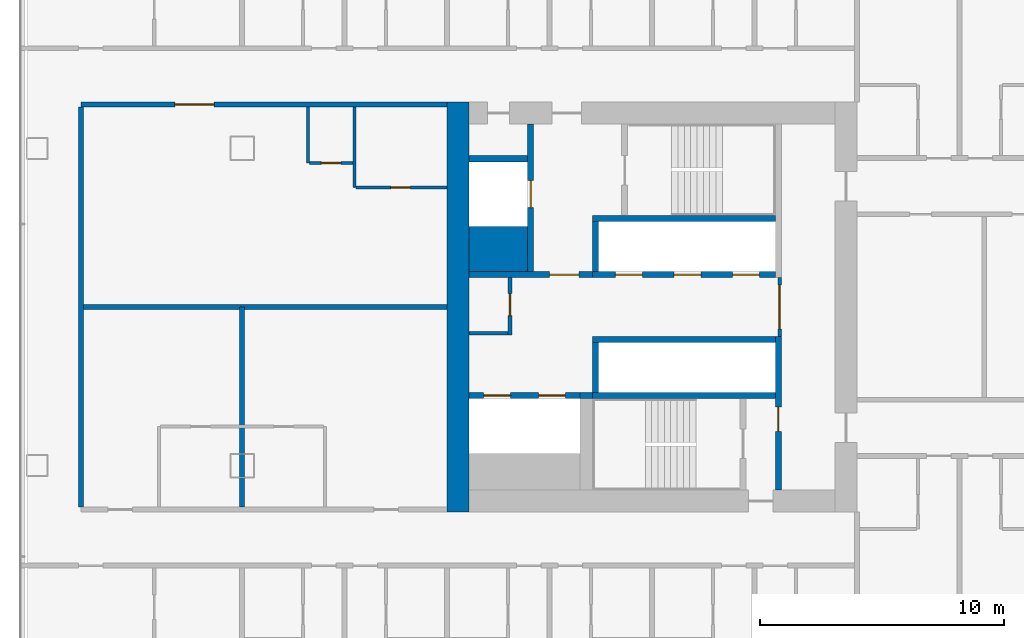
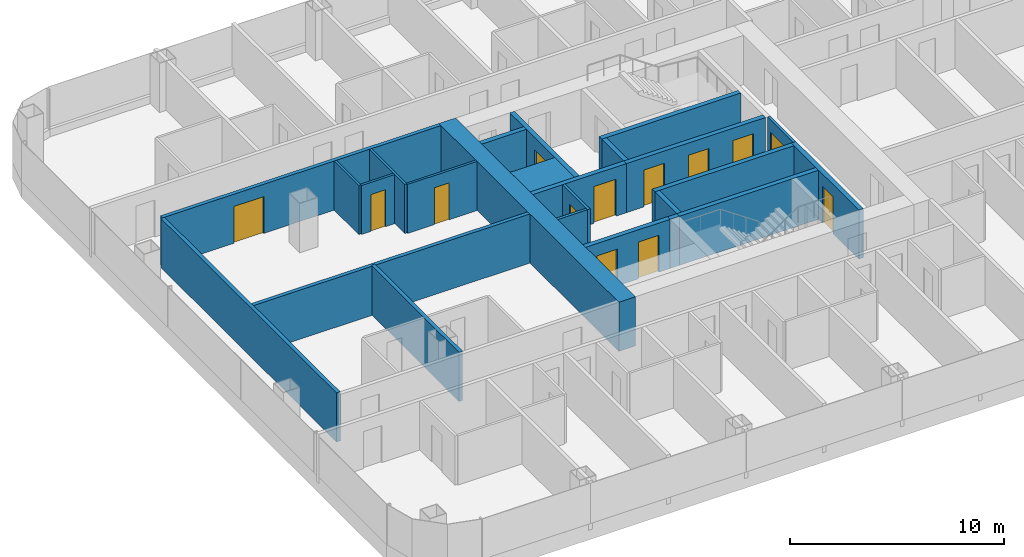
# One storey, part 14 of 29: 25 walls, 13 doors, 13 openings.
"""IFC4 building model written with IfcOpenShell, lengths in metres."""

from ifc_helpers import new_model, si_unit, direction, frame, frame_2d, origin, place, context, subcontext, project, spatial, rectangle, extrude, material, layer, layer_set, type_object, element, fill, save


model = new_model("IFC4")

# Units and contexts
model_context = context("Model", 3, precision=1e-05, world=origin(), true_north=direction((0.0, 1.0)))
body_context = subcontext(model_context, "Body", "Model", "MODEL_VIEW")
ifc_project = project(units=[si_unit("LENGTHUNIT", "METRE"), si_unit("AREAUNIT", "SQUARE_METRE"), si_unit("VOLUMEUNIT", "CUBIC_METRE"), si_unit("PLANEANGLEUNIT", "RADIAN"), si_unit("MASSUNIT", "GRAM", prefix="KILO")], contexts=[model_context])

# Site, building, storey
site_placement = place(None, origin())
site = spatial("IfcSite", under=ifc_project, at=site_placement, CompositionType="ELEMENT")
building_placement = place(site_placement, origin())
building = spatial("IfcBuilding", under=site, at=building_placement, Name="Hakoniwa Tower and Hamabe Station Hall", CompositionType="ELEMENT")
storey_placement = place(building_placement, frame((0.0, 0.0, 23.0)))
storey = spatial("IfcBuildingStorey", under=building, at=storey_placement, Name="L05", CompositionType="ELEMENT", Elevation=23.0)

# Wall, opening, door
ifc_material_1 = material(Name="Gypsum board partition", Category="gypsum")
ifc_layer_1 = layer(ifc_material_1, 0.125)
ifc_layer_set_1 = layer_set([ifc_layer_1], Name="Bathroom Partition 125")
wall_type_1 = type_object("IfcWallType", Name="Bathroom Partition 125", PredefinedType="PARTITIONING", material=ifc_layer_set_1)
wall_1_placement = place(storey_placement, frame((-37.33740234375, 4.89990234375, 0.0), z_axis=(0.0, 0.0, 1.0), x_axis=(1.0, 0.0, 0.0)))
wall_1 = element("IfcWall", 1, at=wall_1_placement, inside=storey, type_object=wall_type_1, Name="GW-L05-028", PredefinedType="PARTITIONING", context=body_context, shape_type="SweptSolid", body=[
    extrude(rectangle(XDim=3.7373046875, YDim=0.125, at=frame_2d((1.86865234375, 0.0))), origin(), (0.0, 0.0, 1.0), 2.800048828125),
])
opening_1_placement = place(wall_1_placement, frame((1.4375, 0.0, 0.0)))
opening_1 = element("IfcOpeningElement", 2, at=opening_1_placement, cuts=wall_1, Name="Opening GD-G1B0-38", PredefinedType="OPENING", context=body_context, shape_type="SweptSolid", body=[
    extrude(rectangle(XDim=0.800048828125, YDim=2.10009765625, at=frame_2d((0.39990234375, 1.050048828125))), frame((0.0, 0.072509765625, 0.0), z_axis=(0.0, -1.0, 0.0), x_axis=(1.0, 0.0, 0.0)), (0.0, 0.0, 1.0), 0.14501953125),
])
ifc_material_2 = material(Name="Timber door leaf", Category="wood")
door_type_1 = type_object("IfcDoorType", Name="Bathroom Door 800", OperationType="SINGLE_SWING_LEFT", PredefinedType="DOOR", material=ifc_material_2)
door_1_placement = place(opening_1_placement, origin())
door_1 = element("IfcDoor", 3, at=door_1_placement, inside=storey, type_object=door_type_1, Name="Door GD-G1B0-38", OperationType="SINGLE_SWING_RIGHT", OverallHeight=2.10009765625, OverallWidth=0.800048828125, PredefinedType="DOOR", context=body_context, shape_type="SweptSolid", body=[
    extrude(rectangle(XDim=0.800048828125, YDim=2.10009765625, at=frame_2d((0.39990234375, 1.050048828125))), frame((0.0, 0.02490234375, 0.0), z_axis=(0.0, -1.0, 0.0), x_axis=(1.0, 0.0, 0.0)), (0.0, 0.0, 1.0), 0.050048828125),
])
fill(opening_1, door_1)

wall_2_placement = place(storey_placement, frame((-39.237548828125, 5.89990234375, 0.0), z_axis=(0.0, 0.0, 1.0), x_axis=(1.0, 0.0, 0.0)))
wall_2 = element("IfcWall", 4, at=wall_2_placement, inside=storey, type_object=wall_type_1, Name="GW-L05-031", PredefinedType="PARTITIONING", context=body_context, shape_type="SweptSolid", body=[
    extrude(rectangle(XDim=1.775146484375, YDim=0.125, at=frame_2d((0.8876953125, 0.0))), origin(), (0.0, 0.0, 1.0), 2.800048828125),
])
opening_2_placement = place(wall_2_placement, frame((0.487548828125, 0.0, 0.0)))
opening_2 = element("IfcOpeningElement", 5, at=opening_2_placement, cuts=wall_2, Name="Opening GD-G1B0-41", PredefinedType="OPENING", context=body_context, shape_type="SweptSolid", body=[
    extrude(rectangle(XDim=0.800048828125, YDim=2.10009765625, at=frame_2d((0.39990234375, 1.050048828125))), frame((0.0, 0.072509765625, 0.0), z_axis=(0.0, -1.0, 0.0), x_axis=(1.0, 0.0, 0.0)), (0.0, 0.0, 1.0), 0.14501953125),
])
door_2_placement = place(opening_2_placement, origin())
door_2 = element("IfcDoor", 6, at=door_2_placement, inside=storey, type_object=door_type_1, Name="Door GD-G1B0-41", OperationType="SINGLE_SWING_RIGHT", OverallHeight=2.10009765625, OverallWidth=0.800048828125, PredefinedType="DOOR", context=body_context, shape_type="SweptSolid", body=[
    extrude(rectangle(XDim=0.800048828125, YDim=2.10009765625, at=frame_2d((0.39990234375, 1.050048828125))), frame((0.0, 0.02490234375, 0.0), z_axis=(0.0, -1.0, 0.0), x_axis=(1.0, 0.0, 0.0)), (0.0, 0.0, 1.0), 0.050048828125),
])
fill(opening_2, door_2)

# Walls
wall_3_placement = place(storey_placement, frame((-39.300048828125, 5.89990234375, 0.0), z_axis=(0.0, 0.0, 1.0), x_axis=(0.0, 1.0, 0.0)))
element("IfcWall", 7, at=wall_3_placement, inside=storey, type_object=wall_type_1, Name="GW-L05-056", PredefinedType="PARTITIONING", context=body_context, shape_type="SweptSolid", body=[
    extrude(rectangle(XDim=2.300048828125, YDim=0.125, at=frame_2d((1.14990234375, 0.0))), origin(), (0.0, 0.0, 1.0), 2.800048828125),
])
wall_4_placement = place(storey_placement, frame((-37.39990234375, 4.89990234375, 0.0), z_axis=(0.0, 0.0, 1.0), x_axis=(0.0, 1.0, 0.0)))
element("IfcWall", 8, at=wall_4_placement, inside=storey, type_object=wall_type_1, Name="GW-L05-060", PredefinedType="PARTITIONING", context=body_context, shape_type="SweptSolid", body=[
    extrude(rectangle(XDim=3.300048828125, YDim=0.125, at=frame_2d((1.64990234375, 0.0))), origin(), (0.0, 0.0, 1.0), 2.800048828125),
])

# Wall, opening, door
ifc_material_3 = material(Name="Gypsum board partition")
ifc_layer_2 = layer(ifc_material_3, 0.14990234375)
ifc_layer_set_2 = layer_set([ifc_layer_2], Name="CORE PARTITION 150 EI 60")
wall_type_2 = type_object("IfcWallType", Name="CORE PARTITION 150 EI 60", PredefinedType="PARTITIONING", material=ifc_layer_set_2)
wall_5_placement = place(storey_placement, frame((-19.97509765625, -1.199951171875, 0.0), z_axis=(0.0, 0.0, 1.0), x_axis=(0.0, 1.0, 0.0)))
wall_5 = element("IfcWall", 9, at=wall_5_placement, inside=storey, type_object=wall_type_2, Name="Core partition PL0 west", PredefinedType="PARTITIONING", context=body_context, shape_type="SweptSolid", body=[
    extrude(rectangle(XDim=2.39990234375, YDim=0.14990234375, at=frame_2d((1.199951171875, 0.0))), origin(), (0.0, 0.0, 1.0), 2.800048828125),
])
opening_3_placement = place(wall_5_placement, frame((0.300048828125, 0.0, 0.0)))
opening_3 = element("IfcOpeningElement", 10, at=opening_3_placement, cuts=wall_5, Name="Opening CD-W-LP0-18", PredefinedType="OPENING", context=body_context, shape_type="SweptSolid", body=[
    extrude(rectangle(XDim=1.800048828125, YDim=2.10009765625, at=frame_2d((0.89990234375, 1.050048828125))), frame((0.0, 0.0849609375, 0.0), z_axis=(0.0, -1.0, 0.0), x_axis=(1.0, 0.0, 0.0)), (0.0, 0.0, 1.0), 0.169921875),
])
ifc_material_4 = material(Name="Steel fire door", Category="steel")
door_type_2 = type_object("IfcDoorType", Name="CORE DOOR 1800 FD60", OperationType="DOUBLE_DOOR_SINGLE_SWING", PredefinedType="DOOR", material=ifc_material_4)
door_3_placement = place(opening_3_placement, origin())
door_3 = element("IfcDoor", 11, at=door_3_placement, inside=storey, type_object=door_type_2, Name="Lift lobby partition door", OperationType="DOUBLE_DOOR_SINGLE_SWING", OverallHeight=2.10009765625, OverallWidth=1.800048828125, PredefinedType="DOOR", context=body_context, shape_type="SweptSolid", body=[
    extrude(rectangle(XDim=1.800048828125, YDim=2.10009765625, at=frame_2d((0.89990234375, 1.050048828125))), frame((0.0, 0.02490234375, 0.0), z_axis=(0.0, -1.0, 0.0), x_axis=(1.0, 0.0, 0.0)), (0.0, 0.0, 1.0), 0.050048828125),
])
fill(opening_3, door_3)

wall_6_placement = place(storey_placement, frame((-31.02490234375, -1.14990234375, 0.0), z_axis=(0.0, 0.0, 1.0), x_axis=(0.0, 1.0, 0.0)))
wall_6 = element("IfcWall", 12, at=wall_6_placement, inside=storey, type_object=wall_type_2, Name="Core partition PW0 west", PredefinedType="PARTITIONING", context=body_context, shape_type="SweptSolid", body=[
    extrude(rectangle(XDim=2.349853515625, YDim=0.14990234375, at=frame_2d((1.1748046875, 0.0))), origin(), (0.0, 0.0, 1.0), 2.800048828125),
])
opening_4_placement = place(wall_6_placement, frame((0.800048828125, 0.0, 0.0)))
opening_4 = element("IfcOpeningElement", 13, at=opening_4_placement, cuts=wall_6, Name="Opening CD-W-RM1-9", PredefinedType="OPENING", context=body_context, shape_type="SweptSolid", body=[
    extrude(rectangle(XDim=0.89990234375, YDim=2.10009765625, at=frame_2d((0.449951171875, 1.050048828125))), frame((0.0, 0.0849609375, 0.0), z_axis=(0.0, -1.0, 0.0), x_axis=(1.0, 0.0, 0.0)), (0.0, 0.0, 1.0), 0.169921875),
])
ifc_material_5 = material(Name="Steel fire door", Category="steel")
door_type_3 = type_object("IfcDoorType", Name="CORE DOOR 900 FD30", OperationType="NOTDEFINED", PredefinedType="DOOR", material=ifc_material_5)
door_4_placement = place(opening_4_placement, origin())
door_4 = element("IfcDoor", 14, at=door_4_placement, inside=storey, type_object=door_type_3, Name="Store room door", OperationType="SINGLE_SWING_RIGHT", OverallHeight=2.10009765625, OverallWidth=0.89990234375, PredefinedType="DOOR", context=body_context, shape_type="SweptSolid", body=[
    extrude(rectangle(XDim=0.89990234375, YDim=2.10009765625, at=frame_2d((0.449951171875, 1.050048828125))), frame((0.0, 0.02490234375, 0.0), z_axis=(0.0, -1.0, 0.0), x_axis=(1.0, 0.0, 0.0)), (0.0, 0.0, 1.0), 0.050048828125),
])
fill(opening_4, door_4)

# Walls
wall_7_placement = place(storey_placement, frame((-32.699951171875, -1.074951171875, 0.0), z_axis=(0.0, 0.0, 1.0), x_axis=(1.0, 0.0, 0.0)))
element("IfcWall", 15, at=wall_7_placement, inside=storey, type_object=wall_type_2, Name="Core partition PS west", PredefinedType="PARTITIONING", context=body_context, shape_type="SweptSolid", body=[
    extrude(rectangle(XDim=1.599853515625, YDim=0.14990234375, at=frame_2d((0.7998046875, 0.0))), origin(), (0.0, 0.0, 1.0), 2.800048828125),
])
ifc_material_6 = material(Name="Concrete C80", Category="concrete")
ifc_layer_3 = layer(ifc_material_6, 0.89990234375)
ifc_layer_set_3 = layer_set([ifc_layer_3], Name="CORE WALL 900 C80")
wall_type_3 = type_object("IfcWallType", Name="CORE WALL 900 C80", PredefinedType="SHEAR", material=ifc_layer_set_3)
wall_8_placement = place(storey_placement, frame((-33.14990234375, -8.39990234375, 0.0), z_axis=(0.0, 0.0, 1.0), x_axis=(0.0, 1.0, 0.0)))
element("IfcWall", 16, at=wall_8_placement, inside=storey, type_object=wall_type_3, Name="Core wall OUTER west", PredefinedType="SHEAR", context=body_context, shape_type="SweptSolid", body=[
    extrude(rectangle(XDim=16.7998046875, YDim=0.89990234375, at=frame_2d((8.39990234375, 0.0))), origin(), (0.0, 0.0, 1.0), 2.800048828125),
])
ifc_material_7 = material(Name="Concrete C80", Category="concrete")
ifc_layer_4 = layer(ifc_material_7, 1.85009765625)
ifc_layer_set_4 = layer_set([ifc_layer_4], Name="CORE WEB WALL 1850 C80")
wall_type_4 = type_object("IfcWallType", Name="CORE WEB WALL 1850 C80", PredefinedType="SHEAR", material=ifc_layer_set_4)
wall_9_placement = place(storey_placement, frame((-32.699951171875, 2.375, 0.0), z_axis=(0.0, 0.0, 1.0), x_axis=(1.0, 0.0, 0.0)))
element("IfcWall", 17, at=wall_9_placement, inside=storey, type_object=wall_type_4, Name="Core wall CA west", PredefinedType="SHEAR", context=body_context, shape_type="SweptSolid", body=[
    extrude(rectangle(XDim=2.39990234375, YDim=1.85009765625, at=frame_2d((1.199951171875, 0.0))), origin(), (0.0, 0.0, 1.0), 2.800048828125),
])

# Wall, opening, door
ifc_material_8 = material(Name="Concrete C80", Category="concrete")
ifc_layer_5 = layer(ifc_material_8, 0.25)
ifc_layer_set_5 = layer_set([ifc_layer_5], Name="CORE WEB WALL 250 C80")
wall_type_5 = type_object("IfcWallType", Name="CORE WEB WALL 250 C80", PredefinedType="SHEAR", material=ifc_layer_set_5)
wall_10_placement = place(storey_placement, frame((-20.02490234375, -7.5, 0.0), z_axis=(0.0, 0.0, 1.0), x_axis=(0.0, 1.0, 0.0)))
wall_10 = element("IfcWall", 18, at=wall_10_placement, inside=storey, type_object=wall_type_5, Name="Core wall W1S west", PredefinedType="SHEAR", context=body_context, shape_type="SweptSolid", body=[
    extrude(rectangle(XDim=6.300048828125, YDim=0.25, at=frame_2d((3.14990234375, 0.0))), origin(), (0.0, 0.0, 1.0), 2.800048828125),
])
opening_5_placement = place(wall_10_placement, frame((2.39990234375, 0.0, 0.0)))
opening_5 = element("IfcOpeningElement", 19, at=opening_5_placement, cuts=wall_10, Name="Opening CD-W-VS-10", PredefinedType="OPENING", context=body_context, shape_type="SweptSolid", body=[
    extrude(rectangle(XDim=1.0, YDim=2.10009765625, at=frame_2d((0.5, 1.050048828125))), frame((0.0, 0.135009765625, 0.0), z_axis=(0.0, -1.0, 0.0), x_axis=(1.0, 0.0, 0.0)), (0.0, 0.0, 1.0), 0.27001953125),
])
ifc_material_9 = material(Name="Steel fire door", Category="steel")
door_type_4 = type_object("IfcDoorType", Name="CORE DOOR 1000 FD60", OperationType="NOTDEFINED", PredefinedType="DOOR", material=ifc_material_9)
door_5_placement = place(opening_5_placement, origin())
door_5 = element("IfcDoor", 20, at=door_5_placement, inside=storey, type_object=door_type_4, Name="Stair vestibule door", OperationType="SINGLE_SWING_LEFT", OverallHeight=2.10009765625, OverallWidth=1.0, PredefinedType="DOOR", context=body_context, shape_type="SweptSolid", body=[
    extrude(rectangle(XDim=1.0, YDim=2.10009765625, at=frame_2d((0.5, 1.050048828125))), frame((0.0, 0.02490234375, 0.0), z_axis=(0.0, -1.0, 0.0), x_axis=(1.0, 0.0, 0.0)), (0.0, 0.0, 1.0), 0.050048828125),
])
fill(opening_5, door_5)

# Wall, openings, doors
wall_11_placement = place(storey_placement, frame((-27.64990234375, 1.324951171875, 0.0), z_axis=(0.0, 0.0, 1.0), x_axis=(1.0, 0.0, 0.0)))
wall_11 = element("IfcWall", 21, at=wall_11_placement, inside=storey, type_object=wall_type_5, Name="Core wall NF west", PredefinedType="SHEAR", context=body_context, shape_type="SweptSolid", body=[
    extrude(rectangle(XDim=7.5, YDim=0.25, at=frame_2d((3.75, 0.0))), origin(), (0.0, 0.0, 1.0), 2.800048828125),
])
opening_6_placement = place(wall_11_placement, frame((5.75, 0.0, 0.0)))
opening_6 = element("IfcOpeningElement", 22, at=opening_6_placement, cuts=wall_11, Name="Opening LD-LR1", PredefinedType="OPENING", context=body_context, shape_type="SweptSolid", body=[
    extrude(rectangle(XDim=1.10009765625, YDim=2.10009765625, at=frame_2d((0.550048828125, 1.050048828125))), frame((0.0, 0.135009765625, 0.0), z_axis=(0.0, -1.0, 0.0), x_axis=(1.0, 0.0, 0.0)), (0.0, 0.0, 1.0), 0.27001953125),
])
opening_7_placement = place(wall_11_placement, frame((3.35009765625, 0.0, 0.0)))
opening_7 = element("IfcOpeningElement", 23, at=opening_7_placement, cuts=wall_11, Name="Opening LD-LR2", PredefinedType="OPENING", context=body_context, shape_type="SweptSolid", body=[
    extrude(rectangle(XDim=1.10009765625, YDim=2.10009765625, at=frame_2d((0.550048828125, 1.050048828125))), frame((0.0, 0.135009765625, 0.0), z_axis=(0.0, -1.0, 0.0), x_axis=(1.0, 0.0, 0.0)), (0.0, 0.0, 1.0), 0.27001953125),
])
opening_8_placement = place(wall_11_placement, frame((0.949951171875, 0.0, 0.0)))
opening_8 = element("IfcOpeningElement", 24, at=opening_8_placement, cuts=wall_11, Name="Opening LD-LR3", PredefinedType="OPENING", context=body_context, shape_type="SweptSolid", body=[
    extrude(rectangle(XDim=1.10009765625, YDim=2.10009765625, at=frame_2d((0.550048828125, 1.050048828125))), frame((0.0, 0.135009765625, 0.0), z_axis=(0.0, -1.0, 0.0), x_axis=(1.0, 0.0, 0.0)), (0.0, 0.0, 1.0), 0.27001953125),
])
ifc_material_10 = material(Name="Stainless steel SUS304", Category="steel")
door_type_5 = type_object("IfcDoorType", Name="LIFT LANDING DOOR 1100 FD60", OperationType="DOUBLE_DOOR_SLIDING", PredefinedType="DOOR", material=ifc_material_10)
door_6_placement = place(opening_6_placement, origin())
door_6 = element("IfcDoor", 25, at=door_6_placement, inside=storey, type_object=door_type_5, Name="Lift landing door LR1 L05", OperationType="DOUBLE_DOOR_SLIDING", OverallHeight=2.10009765625, OverallWidth=1.10009765625, PredefinedType="DOOR", context=body_context, shape_type="SweptSolid", body=[
    extrude(rectangle(XDim=1.10009765625, YDim=2.10009765625, at=frame_2d((0.550048828125, 1.050048828125))), frame((0.0, 0.02490234375, 0.0), z_axis=(0.0, -1.0, 0.0), x_axis=(1.0, 0.0, 0.0)), (0.0, 0.0, 1.0), 0.050048828125),
])
fill(opening_6, door_6)
door_7_placement = place(opening_7_placement, origin())
door_7 = element("IfcDoor", 26, at=door_7_placement, inside=storey, type_object=door_type_5, Name="Lift landing door LR2 L05", OperationType="DOUBLE_DOOR_SLIDING", OverallHeight=2.10009765625, OverallWidth=1.10009765625, PredefinedType="DOOR", context=body_context, shape_type="SweptSolid", body=[
    extrude(rectangle(XDim=1.10009765625, YDim=2.10009765625, at=frame_2d((0.550048828125, 1.050048828125))), frame((0.0, 0.02490234375, 0.0), z_axis=(0.0, -1.0, 0.0), x_axis=(1.0, 0.0, 0.0)), (0.0, 0.0, 1.0), 0.050048828125),
])
fill(opening_7, door_7)
door_8_placement = place(opening_8_placement, origin())
door_8 = element("IfcDoor", 27, at=door_8_placement, inside=storey, type_object=door_type_5, Name="Lift landing door LR3 L05", OperationType="DOUBLE_DOOR_SLIDING", OverallHeight=2.10009765625, OverallWidth=1.10009765625, PredefinedType="DOOR", context=body_context, shape_type="SweptSolid", body=[
    extrude(rectangle(XDim=1.10009765625, YDim=2.10009765625, at=frame_2d((0.550048828125, 1.050048828125))), frame((0.0, 0.02490234375, 0.0), z_axis=(0.0, -1.0, 0.0), x_axis=(1.0, 0.0, 0.0)), (0.0, 0.0, 1.0), 0.050048828125),
])
fill(opening_8, door_8)

# Walls
wall_12_placement = place(storey_placement, frame((-27.52490234375, 1.449951171875, 0.0), z_axis=(0.0, 0.0, 1.0), x_axis=(0.0, 1.0, 0.0)))
element("IfcWall", 28, at=wall_12_placement, inside=storey, type_object=wall_type_5, Name="Core wall NE west", PredefinedType="SHEAR", context=body_context, shape_type="SweptSolid", body=[
    extrude(rectangle(XDim=2.050048828125, YDim=0.25, at=frame_2d((1.02490234375, 0.0))), origin(), (0.0, 0.0, 1.0), 2.800048828125),
])
wall_13_placement = place(storey_placement, frame((-27.64990234375, 3.625, 0.0), z_axis=(0.0, 0.0, 1.0), x_axis=(1.0, 0.0, 0.0)))
element("IfcWall", 29, at=wall_13_placement, inside=storey, type_object=wall_type_5, Name="Core wall NR west", PredefinedType="SHEAR", context=body_context, shape_type="SweptSolid", body=[
    extrude(rectangle(XDim=7.5, YDim=0.25, at=frame_2d((3.75, 0.0))), origin(), (0.0, 0.0, 1.0), 2.800048828125),
])

# Wall, opening, door
wall_14_placement = place(storey_placement, frame((-32.699951171875, 1.324951171875, 0.0), z_axis=(0.0, 0.0, 1.0), x_axis=(1.0, 0.0, 0.0)))
wall_14 = element("IfcWall", 30, at=wall_14_placement, inside=storey, type_object=wall_type_5, Name="Core wall ELN west", PredefinedType="SHEAR", context=body_context, shape_type="SweptSolid", body=[
    extrude(rectangle(XDim=5.050048828125, YDim=0.25, at=frame_2d((2.52490234375, 0.0))), origin(), (0.0, 0.0, 1.0), 2.800048828125),
])
opening_9_placement = place(wall_14_placement, frame((3.300048828125, 0.0, 0.0)))
opening_9 = element("IfcOpeningElement", 31, at=opening_9_placement, cuts=wall_14, Name="Opening CD-W-FL-12", PredefinedType="OPENING", context=body_context, shape_type="SweptSolid", body=[
    extrude(rectangle(XDim=1.199951171875, YDim=2.10009765625, at=frame_2d((0.60009765625, 1.050048828125))), frame((0.0, 0.135009765625, 0.0), z_axis=(0.0, -1.0, 0.0), x_axis=(1.0, 0.0, 0.0)), (0.0, 0.0, 1.0), 0.27001953125),
])
ifc_material_11 = material(Name="Steel fire door", Category="steel")
door_type_6 = type_object("IfcDoorType", Name="CORE DOOR 1200 FD60", OperationType="DOUBLE_DOOR_SINGLE_SWING", PredefinedType="DOOR", material=ifc_material_11)
door_9_placement = place(opening_9_placement, origin())
door_9 = element("IfcDoor", 32, at=door_9_placement, inside=storey, type_object=door_type_6, Name="Stair vestibule door to the fire-fighting lobby", OperationType="DOUBLE_DOOR_SINGLE_SWING", OverallHeight=2.10009765625, OverallWidth=1.199951171875, PredefinedType="DOOR", context=body_context, shape_type="SweptSolid", body=[
    extrude(rectangle(XDim=1.199951171875, YDim=2.10009765625, at=frame_2d((0.60009765625, 1.050048828125))), frame((0.0, 0.02490234375, 0.0), z_axis=(0.0, -1.0, 0.0), x_axis=(1.0, 0.0, 0.0)), (0.0, 0.0, 1.0), 0.050048828125),
])
fill(opening_9, door_9)

wall_15_placement = place(storey_placement, frame((-30.175048828125, 1.449951171875, 0.0), z_axis=(0.0, 0.0, 1.0), x_axis=(0.0, 1.0, 0.0)))
wall_15 = element("IfcWall", 33, at=wall_15_placement, inside=storey, type_object=wall_type_5, Name="Core wall FFF west", PredefinedType="SHEAR", context=body_context, shape_type="SweptSolid", body=[
    extrude(rectangle(XDim=6.050048828125, YDim=0.25, at=frame_2d((3.02490234375, 0.0))), origin(), (0.0, 0.0, 1.0), 2.800048828125),
])
opening_10_placement = place(wall_15_placement, frame((2.625, 0.0, 0.0)))
opening_10 = element("IfcOpeningElement", 34, at=opening_10_placement, cuts=wall_15, Name="Opening LD-FF1", PredefinedType="OPENING", context=body_context, shape_type="SweptSolid", body=[
    extrude(rectangle(XDim=1.10009765625, YDim=2.10009765625, at=frame_2d((0.550048828125, 1.050048828125))), frame((0.0, 0.135009765625, 0.0), z_axis=(0.0, -1.0, 0.0), x_axis=(1.0, 0.0, 0.0)), (0.0, 0.0, 1.0), 0.27001953125),
])
door_10_placement = place(opening_10_placement, origin())
door_10 = element("IfcDoor", 35, at=door_10_placement, inside=storey, type_object=door_type_5, Name="Lift landing door FF1 L05", OperationType="DOUBLE_DOOR_SLIDING", OverallHeight=2.10009765625, OverallWidth=1.10009765625, PredefinedType="DOOR", context=body_context, shape_type="SweptSolid", body=[
    extrude(rectangle(XDim=1.10009765625, YDim=2.10009765625, at=frame_2d((0.550048828125, 1.050048828125))), frame((0.0, 0.02490234375, 0.0), z_axis=(0.0, -1.0, 0.0), x_axis=(1.0, 0.0, 0.0)), (0.0, 0.0, 1.0), 0.050048828125),
])
fill(opening_10, door_10)

# Walls
wall_16_placement = place(storey_placement, frame((-32.699951171875, 6.074951171875, 0.0), z_axis=(0.0, 0.0, 1.0), x_axis=(1.0, 0.0, 0.0)))
element("IfcWall", 36, at=wall_16_placement, inside=storey, type_object=wall_type_5, Name="Core wall C2 west", PredefinedType="SHEAR", context=body_context, shape_type="SweptSolid", body=[
    extrude(rectangle(XDim=2.39990234375, YDim=0.25, at=frame_2d((1.199951171875, 0.0))), origin(), (0.0, 0.0, 1.0), 2.800048828125),
])
wall_17_placement = place(storey_placement, frame((-27.64990234375, -1.324951171875, 0.0), z_axis=(0.0, 0.0, 1.0), x_axis=(1.0, 0.0, 0.0)))
element("IfcWall", 37, at=wall_17_placement, inside=storey, type_object=wall_type_5, Name="Core wall SF west", PredefinedType="SHEAR", context=body_context, shape_type="SweptSolid", body=[
    extrude(rectangle(XDim=7.5, YDim=0.25, at=frame_2d((3.75, 0.0))), origin(), (0.0, 0.0, 1.0), 2.800048828125),
])
wall_18_placement = place(storey_placement, frame((-27.52490234375, -3.5, 0.0), z_axis=(0.0, 0.0, 1.0), x_axis=(0.0, 1.0, 0.0)))
element("IfcWall", 38, at=wall_18_placement, inside=storey, type_object=wall_type_5, Name="Core wall SE west", PredefinedType="SHEAR", context=body_context, shape_type="SweptSolid", body=[
    extrude(rectangle(XDim=2.050048828125, YDim=0.25, at=frame_2d((1.02490234375, 0.0))), origin(), (0.0, 0.0, 1.0), 2.800048828125),
])
wall_19_placement = place(storey_placement, frame((-27.64990234375, -3.625, 0.0), z_axis=(0.0, 0.0, 1.0), x_axis=(1.0, 0.0, 0.0)))
element("IfcWall", 39, at=wall_19_placement, inside=storey, type_object=wall_type_5, Name="Core wall SR west", PredefinedType="SHEAR", context=body_context, shape_type="SweptSolid", body=[
    extrude(rectangle(XDim=7.5, YDim=0.25, at=frame_2d((3.75, 0.0))), origin(), (0.0, 0.0, 1.0), 2.800048828125),
])

# Wall, openings, doors
wall_20_placement = place(storey_placement, frame((-32.699951171875, -3.625, 0.0), z_axis=(0.0, 0.0, 1.0), x_axis=(1.0, 0.0, 0.0)))
wall_20 = element("IfcWall", 40, at=wall_20_placement, inside=storey, type_object=wall_type_5, Name="Core wall SEF west", PredefinedType="SHEAR", context=body_context, shape_type="SweptSolid", body=[
    extrude(rectangle(XDim=4.550048828125, YDim=0.25, at=frame_2d((2.27490234375, 0.0))), origin(), (0.0, 0.0, 1.0), 2.800048828125),
])
opening_11_placement = place(wall_20_placement, frame((2.85009765625, 0.0, 0.0)))
opening_11 = element("IfcOpeningElement", 41, at=opening_11_placement, cuts=wall_20, Name="Opening LD-SV1", PredefinedType="OPENING", context=body_context, shape_type="SweptSolid", body=[
    extrude(rectangle(XDim=1.10009765625, YDim=2.10009765625, at=frame_2d((0.550048828125, 1.050048828125))), frame((0.0, 0.135009765625, 0.0), z_axis=(0.0, -1.0, 0.0), x_axis=(1.0, 0.0, 0.0)), (0.0, 0.0, 1.0), 0.27001953125),
])
opening_12_placement = place(wall_20_placement, frame((0.60009765625, 0.0, 0.0)))
opening_12 = element("IfcOpeningElement", 42, at=opening_12_placement, cuts=wall_20, Name="Opening LD-SV2", PredefinedType="OPENING", context=body_context, shape_type="SweptSolid", body=[
    extrude(rectangle(XDim=1.10009765625, YDim=2.10009765625, at=frame_2d((0.550048828125, 1.050048828125))), frame((0.0, 0.135009765625, 0.0), z_axis=(0.0, -1.0, 0.0), x_axis=(1.0, 0.0, 0.0)), (0.0, 0.0, 1.0), 0.27001953125),
])
door_11_placement = place(opening_11_placement, origin())
door_11 = element("IfcDoor", 43, at=door_11_placement, inside=storey, type_object=door_type_5, Name="Lift landing door SV1 L05", OperationType="DOUBLE_DOOR_SLIDING", OverallHeight=2.10009765625, OverallWidth=1.10009765625, PredefinedType="DOOR", context=body_context, shape_type="SweptSolid", body=[
    extrude(rectangle(XDim=1.10009765625, YDim=2.10009765625, at=frame_2d((0.550048828125, 1.050048828125))), frame((0.0, 0.02490234375, 0.0), z_axis=(0.0, -1.0, 0.0), x_axis=(1.0, 0.0, 0.0)), (0.0, 0.0, 1.0), 0.050048828125),
])
fill(opening_11, door_11)
door_12_placement = place(opening_12_placement, origin())
door_12 = element("IfcDoor", 44, at=door_12_placement, inside=storey, type_object=door_type_5, Name="Lift landing door SV2 L05", OperationType="DOUBLE_DOOR_SLIDING", OverallHeight=2.10009765625, OverallWidth=1.10009765625, PredefinedType="DOOR", context=body_context, shape_type="SweptSolid", body=[
    extrude(rectangle(XDim=1.10009765625, YDim=2.10009765625, at=frame_2d((0.550048828125, 1.050048828125))), frame((0.0, 0.02490234375, 0.0), z_axis=(0.0, -1.0, 0.0), x_axis=(1.0, 0.0, 0.0)), (0.0, 0.0, 1.0), 0.050048828125),
])
fill(opening_12, door_12)

# Wall
wall_21_placement = place(storey_placement, frame((-28.14990234375, -3.625, 0.0), z_axis=(0.0, 0.0, 1.0), x_axis=(1.0, 0.0, 0.0)))
element("IfcWall", 45, at=wall_21_placement, inside=storey, type_object=wall_type_5, Name="Core wall SRK west", PredefinedType="SHEAR", context=body_context, shape_type="SweptSolid", body=[
    extrude(rectangle(XDim=0.5, YDim=0.25, at=frame_2d((0.25, 0.0))), origin(), (0.0, 0.0, 1.0), 2.800048828125),
])

# Wall, opening, door
ifc_material_12 = material(Name="Fire-rated gypsum board partition", Category="gypsum")
ifc_layer_6 = layer(ifc_material_12, 0.199951171875)
ifc_layer_set_6 = layer_set([ifc_layer_6], Name="Corridor Wall 200")
wall_type_6 = type_object("IfcWallType", Name="Corridor Wall 200", PredefinedType="PARTITIONING", material=ifc_layer_set_6)
wall_22_placement = place(storey_placement, frame((-48.60009765625, 8.300048828125, 0.0), z_axis=(0.0, 0.0, 1.0), x_axis=(1.0, 0.0, 0.0)))
wall_22 = element("IfcWall", 46, at=wall_22_placement, inside=storey, type_object=wall_type_6, Name="GW-L05-033", PredefinedType="PARTITIONING", context=body_context, shape_type="SweptSolid", body=[
    extrude(rectangle(XDim=15.0, YDim=0.199951171875, at=frame_2d((7.5, 0.0))), origin(), (0.0, 0.0, 1.0), 2.800048828125),
])
opening_13_placement = place(wall_22_placement, frame((3.85009765625, 0.0, 0.0)))
opening_13 = element("IfcOpeningElement", 47, at=opening_13_placement, cuts=wall_22, Name="Opening GD-G1B0-50", PredefinedType="OPENING", context=body_context, shape_type="SweptSolid", body=[
    extrude(rectangle(XDim=1.60009765625, YDim=2.10009765625, at=frame_2d((0.800048828125, 1.050048828125))), frame((0.0, 0.10986328125, 0.0), z_axis=(0.0, -1.0, 0.0), x_axis=(1.0, 0.0, 0.0)), (0.0, 0.0, 1.0), 0.219970703125),
])
ifc_material_13 = material(Name="Timber door leaf", Category="wood")
door_type_7 = type_object("IfcDoorType", Name="Double Door 1600", OperationType="DOUBLE_DOOR_SINGLE_SWING", PredefinedType="DOOR", material=ifc_material_13)
door_13_placement = place(opening_13_placement, origin())
door_13 = element("IfcDoor", 48, at=door_13_placement, inside=storey, type_object=door_type_7, Name="Door GD-G1B0-50", OperationType="DOUBLE_DOOR_SINGLE_SWING", OverallHeight=2.10009765625, OverallWidth=1.60009765625, PredefinedType="DOOR", context=body_context, shape_type="SweptSolid", body=[
    extrude(rectangle(XDim=1.60009765625, YDim=2.10009765625, at=frame_2d((0.800048828125, 1.050048828125))), frame((0.0, 0.02490234375, 0.0), z_axis=(0.0, -1.0, 0.0), x_axis=(1.0, 0.0, 0.0)), (0.0, 0.0, 1.0), 0.050048828125),
])
fill(opening_13, door_13)

# Walls
ifc_material_14 = material(Name="Fire-rated gypsum board partition", Category="gypsum")
ifc_layer_7 = layer(ifc_material_14, 0.199951171875)
ifc_layer_set_7 = layer_set([ifc_layer_7], Name="Party Wall 200")
wall_type_7 = type_object("IfcWallType", Name="Party Wall 200", PredefinedType="PARTITIONING", material=ifc_layer_set_7)
wall_23_placement = place(storey_placement, frame((-48.5, 0.0, 0.0), z_axis=(0.0, 0.0, 1.0), x_axis=(1.0, 0.0, 0.0)))
element("IfcWall", 49, at=wall_23_placement, inside=storey, type_object=wall_type_7, Name="GW-L05-025", PredefinedType="PARTITIONING", context=body_context, shape_type="SweptSolid", body=[
    extrude(rectangle(XDim=14.89990234375, YDim=0.199951171875, at=frame_2d((7.449951171875, 0.0))), origin(), (0.0, 0.0, 1.0), 2.800048828125),
])
wall_24_placement = place(storey_placement, frame((-48.60009765625, -8.199951171875, 0.0), z_axis=(0.0, 0.0, 1.0), x_axis=(0.0, 1.0, 0.0)))
element("IfcWall", 50, at=wall_24_placement, inside=storey, type_object=wall_type_7, Name="GW-L05-047", PredefinedType="PARTITIONING", context=body_context, shape_type="SweptSolid", body=[
    extrude(rectangle(XDim=16.39990234375, YDim=0.199951171875, at=frame_2d((8.199951171875, 0.0))), origin(), (0.0, 0.0, 1.0), 2.800048828125),
])
wall_25_placement = place(storey_placement, frame((-42.0, -8.199951171875, 0.0), z_axis=(0.0, 0.0, 1.0), x_axis=(0.0, 1.0, 0.0)))
element("IfcWall", 51, at=wall_25_placement, inside=storey, type_object=wall_type_7, Name="GW-L05-052", PredefinedType="PARTITIONING", context=body_context, shape_type="SweptSolid", body=[
    extrude(rectangle(XDim=8.199951171875, YDim=0.199951171875, at=frame_2d((4.10009765625, 0.0))), origin(), (0.0, 0.0, 1.0), 2.800048828125),
])

save(model, "model.ifc")
